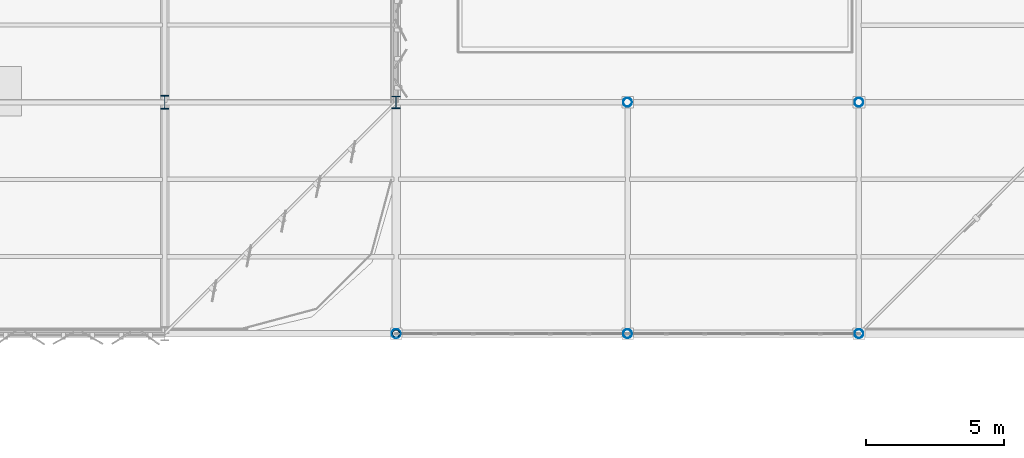
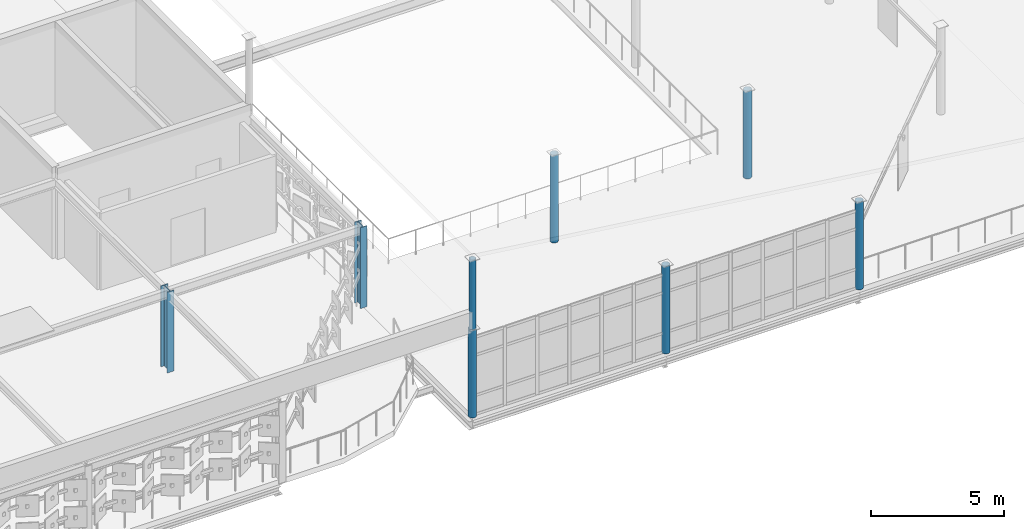
# One storey, part 8 of 65: 8 columns.
"""IFC4 building model written with IfcOpenShell, lengths in metres."""

from ifc_helpers import new_model, si_unit, direction, frame, origin, origin_2d, place, context, subcontext, project, spatial, hollow_circle, i_section, extrude, material, material_profile, profile_set, type_object, element, save


model = new_model("IFC4")

# Units and contexts
model_context = context("Model", 3, precision=1e-05, world=origin(), true_north=direction((0.0, 1.0)))
body_context = subcontext(model_context, "Body", "Model", "MODEL_VIEW")
ifc_project = project(units=[si_unit("LENGTHUNIT", "METRE"), si_unit("AREAUNIT", "SQUARE_METRE"), si_unit("VOLUMEUNIT", "CUBIC_METRE"), si_unit("PLANEANGLEUNIT", "RADIAN"), si_unit("MASSUNIT", "GRAM", prefix="KILO")], contexts=[model_context])

# Site, building, storey
site_placement = place(None, origin())
site = spatial("IfcSite", under=ifc_project, at=site_placement, CompositionType="ELEMENT")
building_placement = place(site_placement, origin())
building = spatial("IfcBuilding", under=site, at=building_placement, Name="Qalvenar Corner Mobility Hub", CompositionType="ELEMENT")
storey_placement = place(building_placement, frame((0.0, 0.0, 17.39990234375)))
storey = spatial("IfcBuildingStorey", under=building, at=storey_placement, Name="L04", CompositionType="ELEMENT", Elevation=17.39990234375)

# Columns
ifc_material = material(Name="Steel S355", Category="steel")
ifc_material_profile_1 = material_profile(ifc_material, hollow_circle(Radius=0.136474609375, WallThickness=0.0087890625, at=origin_2d()), Name="CHS273x8.8")
ifc_profile_set_1 = profile_set([ifc_material_profile_1], Name="Steel S355")
column_type_1 = type_object("IfcColumnType", Name="COL-CHS273", PredefinedType="COLUMN", material=ifc_profile_set_1)
column_1_placement = place(storey_placement, frame((142.800048828125, 67.199951171875, 4.030029296875), z_axis=(0.0, 0.0, 1.0), x_axis=(1.0, 0.0, 0.0)))
element("IfcColumn", 1, at=column_1_placement, inside=storey, type_object=column_type_1, Name="Rotunda Roof Ridge Post V2R-67", PredefinedType="COLUMN", context=body_context, shape_type="SweptSolid", body=[
    extrude(hollow_circle(Radius=0.136474609375, WallThickness=0.0087890625, at=origin_2d()), origin(), (0.0, 0.0, 1.0), 3.199951171875),
])
ifc_material_profile_2 = material_profile(ifc_material, hollow_circle(Radius=0.161865234375, WallThickness=0.010009765625, at=origin_2d()), Name="CHS323.9x10")
ifc_profile_set_2 = profile_set([ifc_material_profile_2], Name="Steel S355")
column_type_2 = type_object("IfcColumnType", Name="COL-CHS323", PredefinedType="COLUMN", material=ifc_profile_set_2)
for number, where, z_axis, x_axis, name in (
    (2, (142.800048828125, 67.199951171875, 0.0), (0.0, 0.0, 1.0), (1.0, 0.0, 0.0), "Steel Column L04-G18-8"),
    (3, (151.199951171875, 67.199951171875, 0.0), (0.0, 0.0, 1.0), (1.0, 0.0, 0.0), "Steel Column L04-G19-8"),
    (4, (151.199951171875, 75.60009765625, 0.0), (0.0, 0.0, 1.0), (1.0, 0.0, 0.0), "Steel Column L04-G19-9"),
    (5, (159.60009765625, 67.199951171875, 0.0), (0.0, 0.0, 1.0), (1.0, 0.0, 0.0), "Steel Column L04-G20-8"),
    (6, (159.60009765625, 75.60009765625, 0.0), (0.0, 0.0, 1.0), (1.0, 0.0, 0.0), "Steel Column L04-G20-9"),
):
    element("IfcColumn", number, at=place(storey_placement, frame(where, z_axis=z_axis, x_axis=x_axis)), inside=storey, type_object=column_type_2, Name=name, PredefinedType="COLUMN", context=body_context, shape_type="SweptSolid", body=[
        extrude(hollow_circle(Radius=0.161865234375, WallThickness=0.010009765625, at=origin_2d()), origin(), (0.0, 0.0, 1.0), 4.030029296875),
    ])
ifc_material_profile_3 = material_profile(ifc_material, i_section(OverallWidth=0.300048828125, OverallDepth=0.449951171875, WebThickness=0.013916015625, FlangeThickness=0.02587890625, FilletRadius=0.027099609375, at=origin_2d()), Name="HEB450")
ifc_profile_set_3 = profile_set([ifc_material_profile_3], Name="Steel S355")
column_type_3 = type_object("IfcColumnType", Name="COL-HEB450", PredefinedType="COLUMN", material=ifc_profile_set_3)
column_2_placement = place(storey_placement, frame((142.800048828125, 75.60009765625, 0.0), z_axis=(0.0, 0.0, 1.0), x_axis=(1.0, 0.0, 0.0)))
element("IfcColumn", 7, at=column_2_placement, inside=storey, type_object=column_type_3, Name="Steel Column L04-G18-9", PredefinedType="COLUMN", context=body_context, shape_type="SweptSolid", body=[
    extrude(i_section(OverallWidth=0.300048828125, OverallDepth=0.449951171875, WebThickness=0.013916015625, FlangeThickness=0.02587890625, FilletRadius=0.027099609375, at=origin_2d()), origin(), (0.0, 0.0, 1.0), 3.710205078125),
])
ifc_material_profile_4 = material_profile(ifc_material, i_section(OverallWidth=0.300048828125, OverallDepth=0.5, WebThickness=0.014404296875, FlangeThickness=0.028076171875, FilletRadius=0.027099609375, at=origin_2d()), Name="HEB500")
ifc_profile_set_4 = profile_set([ifc_material_profile_4], Name="Steel S355")
column_type_4 = type_object("IfcColumnType", Name="COL-HEB500", PredefinedType="COLUMN", material=ifc_profile_set_4)
column_3_placement = place(storey_placement, frame((134.39990234375, 75.60009765625, 0.0), z_axis=(0.0, 0.0, 1.0), x_axis=(1.0, 0.0, 0.0)))
element("IfcColumn", 8, at=column_3_placement, inside=storey, type_object=column_type_4, Name="Steel Column L04-G17-9", PredefinedType="COLUMN", context=body_context, shape_type="SweptSolid", body=[
    extrude(i_section(OverallWidth=0.300048828125, OverallDepth=0.5, WebThickness=0.014404296875, FlangeThickness=0.028076171875, FilletRadius=0.027099609375, at=origin_2d()), origin(), (0.0, 0.0, 1.0), 3.710205078125),
])

save(model, "model.ifc")
